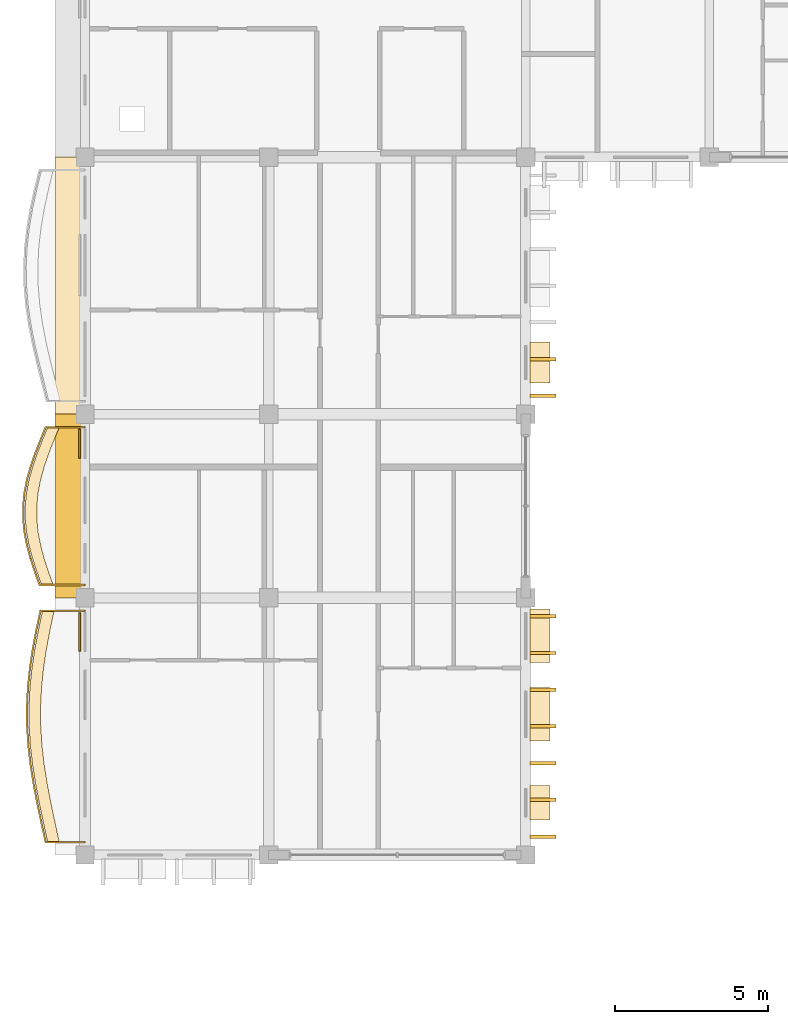
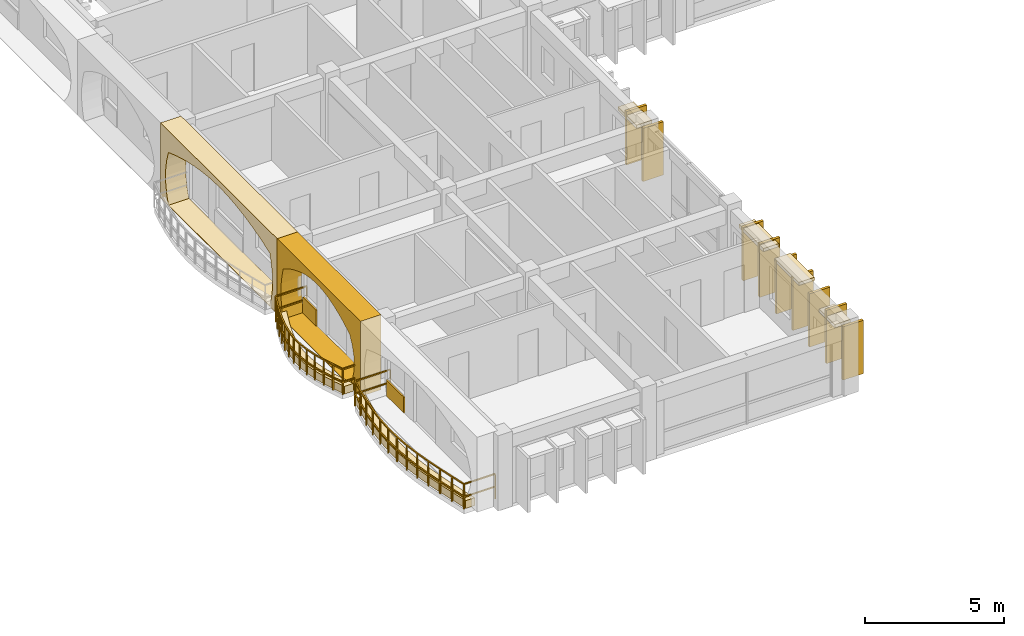
# One storey, part 53 of 68: 19 coverings, 2 railings.
"""IFC4 building model written with IfcOpenShell, lengths in metres."""

import ifcopenshell
import ifcopenshell.guid

model = None  # the IFC model being written
_history = None  # IfcOwnerHistory: only IFC2X3 demands one
_inside = {}  # id of a spatial element -> (the spatial element, [elements in it])
_under = {}  # id of a project, library or spatial element -> (it, [spatial elements below it])
_declared = {}  # id of a project -> (the project, [libraries it declares])
_typed = {}  # id of a type object -> (the type object, [elements of that type])
_made_of = {}  # id of a material, layer set ... -> (it, [elements and type objects made of it])


def new_model(schema):
    """Start an empty IFC model of exactly this schema.

    Asked for "IFC4X3", IfcOpenShell would pick the latest addendum, in which some entities
    have other attributes; the version numbers below select the first issue.
    IFC2X3 requires an IfcOwnerHistory on every rooted entity: one is made here for all.
    """
    global model, _history
    if schema == "IFC4X3":
        model = ifcopenshell.file(schema_version=(4, 3, 0, 0))
    else:
        model = ifcopenshell.file(schema=schema)
    _inside.clear()
    _under.clear()
    _declared.clear()
    _typed.clear()
    _made_of.clear()
    _history = None
    if model.schema == "IFC2X3":
        org = make("IfcOrganization", Name="unknown")
        user = make(
            "IfcPersonAndOrganization",
            ThePerson=make("IfcPerson", FamilyName="unknown"),
            TheOrganization=org,
        )
        app = make(
            "IfcApplication",
            ApplicationDeveloper=org,
            Version="unknown",
            ApplicationFullName="unknown",
            ApplicationIdentifier="unknown",
        )
        _history = make(
            "IfcOwnerHistory",
            OwningUser=user,
            OwningApplication=app,
            ChangeAction="ADDED",
            CreationDate=0,
        )
    return model


def make(cls, **values):
    """One entity of the class cls with the attributes given. An attribute that is None is left unset."""
    return model.create_entity(
        cls, **{name: value for name, value in values.items() if value is not None}
    )


def rooted(cls, **values):
    """An entity with a GlobalId (a new one), such as an element, a storey or a relation."""
    return make(cls, GlobalId=ifcopenshell.guid.new(), OwnerHistory=_history, **values)


def si_unit(unit_type, name, prefix=None):
    """IfcSIUnit, for example si_unit("LENGTHUNIT", "METRE", prefix="MILLI")."""
    return make("IfcSIUnit", UnitType=unit_type, Prefix=prefix, Name=name)


def assignment(units):
    """IfcUnitAssignment: the units of a project."""
    return None if units is None else make("IfcUnitAssignment", Units=units)


def point(xyz):
    """IfcCartesianPoint."""
    return None if xyz is None else make("IfcCartesianPoint", Coordinates=xyz)


def direction(xyz):
    """IfcDirection."""
    return None if xyz is None else make("IfcDirection", DirectionRatios=xyz)


def frame(location, z_axis=None, x_axis=None):
    """IfcAxis2Placement3D, a coordinate frame: its origin and axes. An axis left out is left unset."""
    return make(
        "IfcAxis2Placement3D",
        Location=point(location),
        Axis=direction(z_axis),
        RefDirection=direction(x_axis),
    )


def frame_2d(location, x_axis=None):
    """IfcAxis2Placement2D, a coordinate frame in the plane: its origin and x axis."""
    return make(
        "IfcAxis2Placement2D", Location=point(location), RefDirection=direction(x_axis)
    )


def origin():
    """The frame at (0, 0, 0) with its axes left unset."""
    return frame((0.0, 0.0, 0.0))


def origin_2d():
    """The frame at (0, 0) in the plane with its x axis left unset."""
    return frame_2d((0.0, 0.0))


def place(relative_to, where):
    """IfcLocalPlacement: puts the frame where relative to a parent placement (None: the world)."""
    return make(
        "IfcLocalPlacement", PlacementRelTo=relative_to, RelativePlacement=where
    )


def context(
    kind, dimensions, precision=None, world=None, true_north=None, identifier=None
):
    """IfcGeometricRepresentationContext, for example the 3D "Model" context."""
    return make(
        "IfcGeometricRepresentationContext",
        ContextIdentifier=identifier,
        ContextType=kind,
        CoordinateSpaceDimension=dimensions,
        Precision=precision,
        WorldCoordinateSystem=world,
        TrueNorth=true_north,
    )


def subcontext(parent, identifier, kind, view, scale=None):
    """IfcGeometricRepresentationSubContext, for example "Body" below "Model"."""
    return make(
        "IfcGeometricRepresentationSubContext",
        ContextIdentifier=identifier,
        ContextType=kind,
        ParentContext=parent,
        TargetScale=scale,
        TargetView=view,
    )


def project(units=None, contexts=None):
    """IfcProject with its units and contexts."""
    return rooted(
        "IfcProject",
        Name="project",
        RepresentationContexts=contexts,
        UnitsInContext=assignment(units),
    )


def spatial(cls, under=None, at=None, **own):
    """A site, building, storey or space (cls), placed at a placement, below another one or the project."""
    s = rooted(cls, ObjectPlacement=at, **own)
    if under is not None:
        _under.setdefault(under.id(), (under, []))[1].append(s)
    return s


def polyline(points):
    """IfcPolyline through the points."""
    return make("IfcPolyline", Points=[point(p) for p in points])


def profile(cls, at=None, kind="AREA", **sizes):
    """A parametric profile (cls). Its sizes go by their IFC names, for example OverallWidth=200.0."""
    return make(cls, ProfileType=kind, Position=at, **sizes)


def rectangle(**sizes):
    """IfcRectangleProfileDef."""
    return profile("IfcRectangleProfileDef", **sizes)


def outline(outer, holes=None, kind="AREA"):
    """IfcArbitraryClosedProfileDef: a profile drawn as a closed curve; with holes, ...WithVoids."""
    if holes is None:
        return make("IfcArbitraryClosedProfileDef", ProfileType=kind, OuterCurve=outer)
    return make(
        "IfcArbitraryProfileDefWithVoids",
        ProfileType=kind,
        OuterCurve=outer,
        InnerCurves=holes,
    )


def extrude(swept, where, along, depth):
    """IfcExtrudedAreaSolid: the profile swept, set in the frame where, extruded along a direction by depth."""
    return make(
        "IfcExtrudedAreaSolid",
        SweptArea=swept,
        Position=where,
        ExtrudedDirection=direction(along),
        Depth=depth,
    )


def shape(context_of_items, identifier, shape_type, items):
    """IfcShapeRepresentation: the items that make up one representation, for example the "Body"."""
    return make(
        "IfcShapeRepresentation",
        ContextOfItems=context_of_items,
        RepresentationIdentifier=identifier,
        RepresentationType=shape_type,
        Items=items,
    )


def material(Name=None, Category=None):
    """IfcMaterial."""
    return make("IfcMaterial", Name=Name, Category=Category)


def layer(
    of_material, thickness, ventilated=None, Name=None, Category=None, Priority=None
):
    """IfcMaterialLayer: one layer of a wall or slab, of a material (None: an air gap)."""
    return make(
        "IfcMaterialLayer",
        Material=of_material,
        LayerThickness=thickness,
        IsVentilated=ventilated,
        Name=Name,
        Category=Category,
        Priority=Priority,
    )


def layer_set(layers, Name=None):
    """IfcMaterialLayerSet."""
    return make("IfcMaterialLayerSet", MaterialLayers=layers, LayerSetName=Name)


def made_of(thing, what):
    """Note that an element or type object is made of a material, layer set ...; save() writes the relation."""
    if what is not None:
        _made_of.setdefault(what.id(), (what, []))[1].append(thing)
    return thing


def type_object(cls, material=None, **own):
    """A type object (cls), such as IfcWallType, which elements share."""
    return made_of(rooted(cls, **own), material)


def element(
    cls,
    number,
    at=None,
    inside=None,
    cuts=None,
    type_object=None,
    material=None,
    context=None,
    identifier="Body",
    shape_type=None,
    held_by="IfcProductDefinitionShape",
    body=None,
    shapes=None,
    **own,
):
    """One element of the class cls, such as IfcWall. Its Tag is "e" and its number.

    at: its placement. inside: the storey or other place that contains it. cuts: it is an
    opening in that element (IfcRelVoidsElement). A single representation is given by context,
    identifier, shape_type and body (its items); several are given by shapes. held_by: the class
    of the entity that holds the representations. save() writes the other relations.
    """
    e = rooted(cls, Tag="e%d" % number, ObjectPlacement=at, **own)
    if body is not None:
        shapes = [shape(context, identifier, shape_type, body)]
    if shapes is not None:
        e.Representation = make(held_by, Representations=shapes)
    if inside is not None:
        _inside.setdefault(inside.id(), (inside, []))[1].append(e)
    if cuts is not None:
        rooted(
            "IfcRelVoidsElement", RelatingBuildingElement=cuts, RelatedOpeningElement=e
        )
    if type_object is not None:
        _typed.setdefault(type_object.id(), (type_object, []))[1].append(e)
    return made_of(e, material)


def aggregate(whole, parts):
    """IfcRelAggregates: a whole, such as a stair, and the parts it consists of."""
    return rooted("IfcRelAggregates", RelatingObject=whole, RelatedObjects=parts)


def save(model, path):
    """Write the relations noted so far, then the file.

    IfcRelAggregates (storeys below a building ...), IfcRelContainedInSpatialStructure (elements
    in a storey), IfcRelDefinesByType, IfcRelAssociatesMaterial and IfcRelDeclares: one each for
    every whole, place, type object, material and project.
    """
    for whole, parts in _under.values():
        aggregate(whole, parts)
    for where, things in _inside.values():
        rooted(
            "IfcRelContainedInSpatialStructure",
            RelatedElements=things,
            RelatingStructure=where,
        )
    for kind, things in _typed.values():
        rooted("IfcRelDefinesByType", RelatedObjects=things, RelatingType=kind)
    for what, things in _made_of.values():
        rooted("IfcRelAssociatesMaterial", RelatedObjects=things, RelatingMaterial=what)
    for by, libraries in _declared.values():
        rooted("IfcRelDeclares", RelatingContext=by, RelatedDefinitions=libraries)
    model.write(path)


model = new_model("IFC4")

# Units and contexts
model_context = context("Model", 3, precision=1e-05, world=origin(), true_north=direction((0.0, 1.0)))
body_context = subcontext(model_context, "Body", "Model", "MODEL_VIEW")
ifc_project = project(units=[si_unit("LENGTHUNIT", "METRE"), si_unit("AREAUNIT", "SQUARE_METRE"), si_unit("VOLUMEUNIT", "CUBIC_METRE"), si_unit("PLANEANGLEUNIT", "RADIAN"), si_unit("MASSUNIT", "GRAM", prefix="KILO"), si_unit("THERMODYNAMICTEMPERATUREUNIT", "KELVIN")], contexts=[model_context])

# Site, building, storey
site_placement = place(None, origin())
site = spatial("IfcSite", under=ifc_project, at=site_placement, CompositionType="ELEMENT")
building_placement = place(site_placement, origin())
building = spatial("IfcBuilding", under=site, at=building_placement, Name="Thalorik Housing Commons", CompositionType="ELEMENT")
storey_placement = place(building_placement, frame((0.0, 0.0, 24.60009765625)))
storey = spatial("IfcBuildingStorey", under=building, at=storey_placement, Name="L07", CompositionType="ELEMENT", Elevation=24.60009765625)

# Coverings
ifc_material_1 = material(Name="Precast concrete C40/50", Category="concrete")
ifc_layer_1 = layer(ifc_material_1, 0.85009765625, Name="Precast concrete C40/50", Category="concrete")
ifc_layer_set_1 = layer_set([ifc_layer_1], Name="Precast concrete C40/50")
covering_type_1 = type_object("IfcCoveringType", Name="ARC-CLD-CUSH-850", PredefinedType="CLADDING", material=ifc_layer_set_1)
covering_1_placement = place(storey_placement, frame((7.83740234375, 105.0, 0.0), z_axis=(0.0, 0.0, 1.0), x_axis=(0.0, -1.0, 0.0)))
element("IfcCovering", 1, at=covering_1_placement, inside=storey, type_object=covering_type_1, Name="L07 White Precast Curved Cushion Bay Frame 771", PredefinedType="CLADDING", context=body_context, shape_type="SweptSolid", body=[
    extrude(outline(polyline([(-4.199951171875, 0.0), (4.199951171875, 0.0), (4.199951171875, 3.300048828125), (-4.199951171875, 3.300048828125), (-4.199951171875, 0.0)]), holes=[polyline([(3.66259765625, 0.02490234375), (3.77587890625, 0.410888671875), (3.843994140625, 0.796630859375), (3.86669921875, 1.1826171875), (3.843994140625, 1.568359375), (3.77587890625, 1.9541015625), (3.66259765625, 2.340087890625), (3.0546875, 2.552978515625), (2.447021484375, 2.720458984375), (1.83935546875, 2.85595703125), (1.231689453125, 2.956787109375), (0.6240234375, 3.01904296875), (0.01611328125, 3.0400390625), (-0.591552734375, 3.01904296875), (-1.19921875, 2.956787109375), (-1.806884765625, 2.85595703125), (-2.41455078125, 2.720458984375), (-3.022216796875, 2.552978515625), (-3.6298828125, 2.340087890625), (-3.750244140625, 1.9541015625), (-3.822509765625, 1.568359375), (-3.8466796875, 1.1826171875), (-3.822509765625, 0.796630859375), (-3.750244140625, 0.410888671875), (-3.6298828125, 0.02490234375), (3.66259765625, 0.02490234375)])]), frame((0.0, 0.425048828125, 0.0), z_axis=(0.0, -1.0, 0.0), x_axis=(1.0, 0.0, 0.0)), (0.0, 0.0, 1.0), 0.85009765625),
])
covering_2_placement = place(storey_placement, frame((7.83740234375, 97.800048828125, 0.0), z_axis=(0.0, 0.0, 1.0), x_axis=(0.0, -1.0, 0.0)))
element("IfcCovering", 2, at=covering_2_placement, inside=storey, type_object=covering_type_1, Name="L07 White Precast Curved Cushion Bay Frame 773", PredefinedType="CLADDING", context=body_context, shape_type="SweptSolid", body=[
    extrude(outline(polyline([(-3.0, 0.0), (3.0, 0.0), (3.0, 3.300048828125), (-3.0, 3.300048828125), (-3.0, 0.0)]), holes=[polyline([(2.235107421875, 0.02490234375), (2.409912109375, 0.394287109375), (2.514892578125, 0.76318359375), (2.550048828125, 1.132568359375), (2.514892578125, 1.501708984375), (2.409912109375, 1.870849609375), (2.235107421875, 2.239990234375), (1.8349609375, 2.4833984375), (1.43505859375, 2.6748046875), (1.034912109375, 2.82958984375), (0.635009765625, 2.94482421875), (0.235107421875, 3.01611328125), (-0.1650390625, 3.0400390625), (-0.56494140625, 3.01611328125), (-0.965087890625, 2.94482421875), (-1.364990234375, 2.82958984375), (-1.764892578125, 2.6748046875), (-2.1650390625, 2.4833984375), (-2.56494140625, 2.239990234375), (-2.65673828125, 1.870849609375), (-2.7119140625, 1.501708984375), (-2.730224609375, 1.132568359375), (-2.7119140625, 0.76318359375), (-2.65673828125, 0.394287109375), (-2.56494140625, 0.02490234375), (2.235107421875, 0.02490234375)])]), frame((0.0, 0.425048828125, 0.0), z_axis=(0.0, -1.0, 0.0), x_axis=(1.0, 0.0, 0.0)), (0.0, 0.0, 1.0), 0.85009765625),
])
ifc_layer_2 = layer(ifc_material_1, 0.85009765625, Name="Precast concrete C40/50", Category="concrete")
ifc_layer_set_2 = layer_set([ifc_layer_2], Name="Precast concrete C40/50")
covering_type_2 = type_object("IfcCoveringType", Name="ARC-CLD-FIN-850", PredefinedType="CLADDING", material=ifc_layer_set_2)
for number, where, z_axis, x_axis, name in (
    (3, (23.362548828125, 87.0, 0.0400390625), (0.0, 0.0, 1.0), (0.0, 1.0, 0.0), "L07 Courtyard Precast Vertical Brise-Soleil Fin 784"),
    (4, (23.362548828125, 88.199951171875, 0.0400390625), (0.0, 0.0, 1.0), (0.0, 1.0, 0.0), "L07 Courtyard Precast Vertical Brise-Soleil Fin 785"),
    (5, (23.362548828125, 89.39990234375, 0.0400390625), (0.0, 0.0, 1.0), (0.0, 1.0, 0.0), "L07 Courtyard Precast Vertical Brise-Soleil Fin 786"),
    (6, (23.362548828125, 90.60009765625, 0.0400390625), (0.0, 0.0, 1.0), (0.0, 1.0, 0.0), "L07 Courtyard Precast Vertical Brise-Soleil Fin 787"),
    (7, (23.362548828125, 91.800048828125, 0.0400390625), (0.0, 0.0, 1.0), (0.0, 1.0, 0.0), "L07 Courtyard Precast Vertical Brise-Soleil Fin 788"),
    (8, (23.362548828125, 93.0, 0.0400390625), (0.0, 0.0, 1.0), (0.0, 1.0, 0.0), "L07 Courtyard Precast Vertical Brise-Soleil Fin 789"),
    (9, (23.362548828125, 94.199951171875, 0.0400390625), (0.0, 0.0, 1.0), (0.0, 1.0, 0.0), "L07 Courtyard Precast Vertical Brise-Soleil Fin 790"),
    (10, (23.362548828125, 101.39990234375, 0.0400390625), (0.0, 0.0, 1.0), (0.0, 1.0, 0.0), "L07 Courtyard Precast Vertical Brise-Soleil Fin 794"),
    (11, (23.362548828125, 102.60009765625, 0.0400390625), (0.0, 0.0, 1.0), (0.0, 1.0, 0.0), "L07 Courtyard Precast Vertical Brise-Soleil Fin 795"),
):
    element("IfcCovering", number, at=place(storey_placement, frame(where, z_axis=z_axis, x_axis=x_axis)), inside=storey, type_object=covering_type_2, Name=name, PredefinedType="CLADDING", context=body_context, shape_type="SweptSolid", body=[
        extrude(rectangle(XDim=0.110107421875, YDim=0.85009765625, at=origin_2d()), origin(), (0.0, 0.0, 1.0), 2.344970703125),
    ])
ifc_layer_3 = layer(ifc_material_1, 0.64990234375, Name="Precast concrete C40/50", Category="concrete")
ifc_layer_set_3 = layer_set([ifc_layer_3], Name="Precast concrete C40/50")
covering_type_3 = type_object("IfcCoveringType", Name="ARC-CLD-HOOD-650", PredefinedType="CLADDING", material=ifc_layer_set_3)
covering_3_placement = place(storey_placement, frame((23.262451171875, 88.105712890625, 1.98974609375), z_axis=(0.0, 0.0, 1.0), x_axis=(0.0, 1.0, 0.0)))
element("IfcCovering", 12, at=covering_3_placement, inside=storey, type_object=covering_type_3, Name="L07 Courtyard Precast Window Sun-Hood 791", PredefinedType="CLADDING", context=body_context, shape_type="SweptSolid", body=[
    extrude(rectangle(XDim=1.139892578125, YDim=0.64990234375, at=origin_2d()), origin(), (0.0, 0.0, 1.0), 0.139892578125),
])
covering_4_placement = place(storey_placement, frame((23.262451171875, 90.9970703125, 2.27490234375), z_axis=(0.0, 0.0, 1.0), x_axis=(0.0, 1.0, 0.0)))
element("IfcCovering", 13, at=covering_4_placement, inside=storey, type_object=covering_type_3, Name="L07 Courtyard Precast Window Sun-Hood 792", PredefinedType="CLADDING", context=body_context, shape_type="SweptSolid", body=[
    extrude(rectangle(XDim=1.739990234375, YDim=0.64990234375, at=origin_2d()), origin(), (0.0, 0.0, 1.0), 0.139892578125),
])
covering_5_placement = place(storey_placement, frame((23.262451171875, 93.561279296875, 2.2099609375), z_axis=(0.0, 0.0, 1.0), x_axis=(0.0, 1.0, 0.0)))
element("IfcCovering", 14, at=covering_5_placement, inside=storey, type_object=covering_type_3, Name="L07 Courtyard Precast Window Sun-Hood 793", PredefinedType="CLADDING", context=body_context, shape_type="SweptSolid", body=[
    extrude(rectangle(XDim=1.760009765625, YDim=0.64990234375, at=origin_2d()), origin(), (0.0, 0.0, 1.0), 0.139892578125),
])
covering_6_placement = place(storey_placement, frame((23.262451171875, 102.494873046875, 2.08984375), z_axis=(0.0, 0.0, 1.0), x_axis=(0.0, 1.0, 0.0)))
element("IfcCovering", 15, at=covering_6_placement, inside=storey, type_object=covering_type_3, Name="L07 Courtyard Precast Window Sun-Hood 801", PredefinedType="CLADDING", context=body_context, shape_type="SweptSolid", body=[
    extrude(rectangle(XDim=1.340087890625, YDim=0.64990234375, at=origin_2d()), origin(), (0.0, 0.0, 1.0), 0.139892578125),
])
ifc_material_2 = material(Name="Terracotta red mineral fibre-cement panel", Category="masonry")
ifc_layer_4 = layer(ifc_material_2, 0.054931640625, Name="Terracotta red mineral fibre-cement panel", Category="masonry")
ifc_layer_set_4 = layer_set([ifc_layer_4], Name="Terracotta red mineral fibre-cement panel")
covering_type_4 = type_object("IfcCoveringType", Name="ARC-CLD-RED-55", PredefinedType="CLADDING", material=ifc_layer_set_4)
covering_7_placement = place(storey_placement, frame((8.22998046875, 93.6875, 0.0498046875), z_axis=(0.0, 0.0, 1.0), x_axis=(0.0, -1.0, 0.0)))
element("IfcCovering", 16, at=covering_7_placement, inside=storey, type_object=covering_type_4, Name="L07 De Stijl Recessed Window Spandrel 776", PredefinedType="CLADDING", context=body_context, shape_type="SweptSolid", body=[
    extrude(rectangle(XDim=1.25, YDim=0.054931640625, at=origin_2d()), origin(), (0.0, 0.0, 1.0), 0.699951171875),
])
ifc_material_3 = material(Name="Mineral ochre architectural terracotta panel", Category="masonry")
ifc_layer_5 = layer(ifc_material_3, 0.06494140625, Name="Mineral ochre architectural terracotta panel", Category="masonry")
ifc_layer_set_5 = layer_set([ifc_layer_5], Name="Mineral ochre architectural terracotta panel")
covering_type_5 = type_object("IfcCoveringType", Name="ARC-CLD-YEL-65", PredefinedType="CLADDING", material=ifc_layer_set_5)
covering_8_placement = place(storey_placement, frame((8.22509765625, 99.840087890625, 0.0498046875), z_axis=(0.0, 0.0, 1.0), x_axis=(0.0, -1.0, 0.0)))
element("IfcCovering", 17, at=covering_8_placement, inside=storey, type_object=covering_type_5, Name="L07 De Stijl Recessed Window Spandrel 774", PredefinedType="CLADDING", context=body_context, shape_type="SweptSolid", body=[
    extrude(rectangle(XDim=0.949951171875, YDim=0.06494140625, at=origin_2d()), origin(), (0.0, 0.0, 1.0), 0.699951171875),
])
ifc_material_4 = material(Name="Planted vegetated substrate and terracotta trough", Category="masonry")
ifc_layer_6 = layer(ifc_material_4, 0.340087890625, Name="Planted vegetated substrate and terracotta trough", Category="masonry")
ifc_layer_set_6 = layer_set([ifc_layer_6], Name="Planted vegetated substrate and terracotta trough")
covering_type_6 = type_object("IfcCoveringType", Name="ARC-COV-PLANTER", PredefinedType="USERDEFINED", material=ifc_layer_set_6)
covering_9_placement = place(storey_placement, origin())
element("IfcCovering", 18, at=covering_9_placement, inside=storey, type_object=covering_type_6, Name="L07 Balcony Slab-Edge Planted Trough 5368", ObjectType="PLANTER", PredefinedType="USERDEFINED", context=body_context, shape_type="SweptSolid", body=[
    extrude(outline(polyline([(7.010498046875, 94.3798828125), (6.87646484375, 93.75), (6.75830078125, 93.1201171875), (6.66357421875, 92.489990234375), (6.598876953125, 91.860107421875), (6.568115234375, 91.22998046875), (6.572998046875, 90.60009765625), (6.61376953125, 89.969970703125), (6.686767578125, 89.340087890625), (6.787109375, 88.7099609375), (6.908203125, 88.080078125), (7.04150390625, 87.449951171875), (7.17822265625, 86.820068359375), (7.558349609375, 86.820068359375), (7.42138671875, 87.449951171875), (7.2880859375, 88.080078125), (7.167236328125, 88.7099609375), (7.066650390625, 89.340087890625), (6.99365234375, 89.969970703125), (6.953125, 90.60009765625), (6.947998046875, 91.22998046875), (6.978759765625, 91.860107421875), (7.043701171875, 92.489990234375), (7.13818359375, 93.1201171875), (7.256591796875, 93.75), (7.390380859375, 94.3798828125), (7.010498046875, 94.3798828125)])), origin(), (0.0, 0.0, 1.0), 0.33984375),
])
covering_10_placement = place(storey_placement, origin())
element("IfcCovering", 19, at=covering_10_placement, inside=storey, type_object=covering_type_6, Name="L07 Balcony Slab-Edge Planted Trough 5369", ObjectType="PLANTER", PredefinedType="USERDEFINED", context=body_context, shape_type="SweptSolid", body=[
    extrude(outline(polyline([(7.1806640625, 100.3798828125), (7.00439453125, 99.949951171875), (6.836669921875, 99.52001953125), (6.6884765625, 99.090087890625), (6.56884765625, 98.659912109375), (6.485595703125, 98.22998046875), (6.443603515625, 97.800048828125), (6.444580078125, 97.3701171875), (6.48828125, 96.93994140625), (6.571044921875, 96.510009765625), (6.686767578125, 96.080078125), (6.826904296875, 95.64990234375), (6.982177734375, 95.219970703125), (7.3623046875, 95.219970703125), (7.20703125, 95.64990234375), (7.066650390625, 96.080078125), (6.951171875, 96.510009765625), (6.868408203125, 96.93994140625), (6.82470703125, 97.3701171875), (6.823486328125, 97.800048828125), (6.865478515625, 98.22998046875), (6.948974609375, 98.659912109375), (7.068359375, 99.090087890625), (7.216796875, 99.52001953125), (7.38427734375, 99.949951171875), (7.560546875, 100.3798828125), (7.1806640625, 100.3798828125)])), origin(), (0.0, 0.0, 1.0), 0.33984375),
])

# Railings
ifc_material_5 = material(Name="Steel S355", Category="steel")
railing_type_1 = type_object("IfcRailingType", Name="ARC-RL-BAL-112", PredefinedType="BALUSTRADE", material=ifc_material_5)
railing_1_placement = place(storey_placement, frame((8.39990234375, 94.3798828125, 0.0)))
element("IfcRailing", 20, at=railing_1_placement, inside=storey, type_object=railing_type_1, Name="L07 Cushion Balcony Guardrail 52", PredefinedType="BALUSTRADE", context=body_context, shape_type="SweptSolid", body=[
    extrude(rectangle(XDim=0.050048828125, YDim=0.050048828125, at=origin_2d()), frame((0.0, 0.0, 1.09521484375), z_axis=(-1.0, 0.0, 0.0), x_axis=(0.0, -1.0, 0.0)), (0.0, 0.0, 1.0), 1.45947265625),
    extrude(rectangle(XDim=0.050048828125, YDim=0.050048828125, at=origin_2d()), frame((0.0, 0.0, 0.53515625), z_axis=(-1.0, 0.0, 0.0), x_axis=(0.0, -1.0, 0.0)), (0.0, 0.0, 1.0), 1.45947265625),
    extrude(rectangle(XDim=0.050048828125, YDim=0.050048828125, at=origin_2d()), frame((-1.45947265625, 0.0, 1.09521484375), z_axis=(-0.208130794843, -0.978101003086, 0.0), x_axis=(0.978101003086, -0.208130794843, 0.0)), (0.0, 0.0, 1.0), 0.64404296875),
    extrude(rectangle(XDim=0.050048828125, YDim=0.050048828125, at=origin_2d()), frame((-1.45947265625, 0.0, 0.53515625), z_axis=(-0.208130794843, -0.978101003086, 0.0), x_axis=(0.978101003086, -0.208130794843, 0.0)), (0.0, 0.0, 1.0), 0.64404296875),
    extrude(rectangle(XDim=0.050048828125, YDim=0.050048828125, at=origin_2d()), frame((-1.593505859375, -0.6298828125, 1.09521484375), z_axis=(-0.18438053763, -0.982854931993, 0.0), x_axis=(0.982854931993, -0.18438053763, 0.0)), (0.0, 0.0, 1.0), 0.640869140625),
    extrude(rectangle(XDim=0.050048828125, YDim=0.050048828125, at=origin_2d()), frame((-1.593505859375, -0.6298828125, 0.53515625), z_axis=(-0.18438053763, -0.982854931993, 0.0), x_axis=(0.982854931993, -0.18438053763, 0.0)), (0.0, 0.0, 1.0), 0.640869140625),
    extrude(rectangle(XDim=0.050048828125, YDim=0.050048828125, at=origin_2d()), frame((-1.711669921875, -1.259765625, 1.09521484375), z_axis=(-0.148658949274, -0.988888525973, 0.0), x_axis=(0.988888525973, -0.148658949274, 0.0)), (0.0, 0.0, 1.0), 0.63720703125),
    extrude(rectangle(XDim=0.050048828125, YDim=0.050048828125, at=origin_2d()), frame((-1.711669921875, -1.259765625, 0.53515625), z_axis=(-0.148658949274, -0.988888525973, 0.0), x_axis=(0.988888525973, -0.148658949274, 0.0)), (0.0, 0.0, 1.0), 0.63720703125),
    extrude(rectangle(XDim=0.050048828125, YDim=0.050048828125, at=origin_2d()), frame((-1.806396484375, -1.889892578125, 1.09521484375), z_axis=(-0.102175616173, -0.994766376321, 0.0), x_axis=(0.994766376321, -0.102175616173, 0.0)), (0.0, 0.0, 1.0), 0.63330078125),
    extrude(rectangle(XDim=0.050048828125, YDim=0.050048828125, at=origin_2d()), frame((-1.806396484375, -1.889892578125, 0.53515625), z_axis=(-0.102175616173, -0.994766376321, 0.0), x_axis=(0.994766376321, -0.102175616173, 0.0)), (0.0, 0.0, 1.0), 0.63330078125),
    extrude(rectangle(XDim=0.050048828125, YDim=0.050048828125, at=origin_2d()), frame((-1.87109375, -2.519775390625, 1.09521484375), z_axis=(-0.048760218772, -0.998810513093, 0.0), x_axis=(0.998810513093, -0.048760218772, 0.0)), (0.0, 0.0, 1.0), 0.630859375),
    extrude(rectangle(XDim=0.050048828125, YDim=0.050048828125, at=origin_2d()), frame((-1.87109375, -2.519775390625, 0.53515625), z_axis=(-0.048760218772, -0.998810513093, 0.0), x_axis=(0.998810513093, -0.048760218772, 0.0)), (0.0, 0.0, 1.0), 0.630859375),
    extrude(rectangle(XDim=0.050048828125, YDim=0.050048828125, at=origin_2d()), frame((-1.90185546875, -3.14990234375, 1.09521484375), z_axis=(0.008139265267, -0.999966875632, 0.0), x_axis=(0.999966875632, 0.008139265267, 0.0)), (0.0, 0.0, 1.0), 0.6298828125),
    extrude(rectangle(XDim=0.050048828125, YDim=0.050048828125, at=origin_2d()), frame((-1.90185546875, -3.14990234375, 0.53515625), z_axis=(0.008139265267, -0.999966875632, 0.0), x_axis=(0.999966875632, 0.008139265267, 0.0)), (0.0, 0.0, 1.0), 0.6298828125),
    extrude(rectangle(XDim=0.050048828125, YDim=0.050048828125, at=origin_2d()), frame((-1.896728515625, -3.77978515625, 1.09521484375), z_axis=(0.064183543731, -0.997938110663, 0.0), x_axis=(0.997938110663, 0.064183543731, 0.0)), (0.0, 0.0, 1.0), 0.63134765625),
    extrude(rectangle(XDim=0.050048828125, YDim=0.050048828125, at=origin_2d()), frame((-1.896728515625, -3.77978515625, 0.53515625), z_axis=(0.064183543731, -0.997938110663, 0.0), x_axis=(0.997938110663, 0.064183543731, 0.0)), (0.0, 0.0, 1.0), 0.63134765625),
    extrude(rectangle(XDim=0.050048828125, YDim=0.050048828125, at=origin_2d()), frame((-1.856201171875, -4.409912109375, 1.09521484375), z_axis=(0.115120966113, -0.993351480173, 0.0), x_axis=(0.993351480173, 0.115120966113, 0.0)), (0.0, 0.0, 1.0), 0.634033203125),
    extrude(rectangle(XDim=0.050048828125, YDim=0.050048828125, at=origin_2d()), frame((-1.856201171875, -4.409912109375, 0.53515625), z_axis=(0.115120966113, -0.993351480173, 0.0), x_axis=(0.993351480173, 0.115120966113, 0.0)), (0.0, 0.0, 1.0), 0.634033203125),
    extrude(rectangle(XDim=0.050048828125, YDim=0.050048828125, at=origin_2d()), frame((-1.783203125, -5.039794921875, 1.09521484375), z_axis=(0.157632360155, -0.987497867862, 0.0), x_axis=(0.987497867862, 0.157632360155, 0.0)), (0.0, 0.0, 1.0), 0.63818359375),
    extrude(rectangle(XDim=0.050048828125, YDim=0.050048828125, at=origin_2d()), frame((-1.783203125, -5.039794921875, 0.53515625), z_axis=(0.157632360155, -0.987497867862, 0.0), x_axis=(0.987497867862, 0.157632360155, 0.0)), (0.0, 0.0, 1.0), 0.63818359375),
    extrude(rectangle(XDim=0.050048828125, YDim=0.050048828125, at=origin_2d()), frame((-1.6826171875, -5.669921875, 1.09521484375), z_axis=(0.188423823634, -0.982087808033, 0.0), x_axis=(0.982087808033, 0.188423823634, 0.0)), (0.0, 0.0, 1.0), 0.641357421875),
    extrude(rectangle(XDim=0.050048828125, YDim=0.050048828125, at=origin_2d()), frame((-1.6826171875, -5.669921875, 0.53515625), z_axis=(0.188423823634, -0.982087808033, 0.0), x_axis=(0.982087808033, 0.188423823634, 0.0)), (0.0, 0.0, 1.0), 0.641357421875),
    extrude(rectangle(XDim=0.050048828125, YDim=0.050048828125, at=origin_2d()), frame((-1.561767578125, -6.2998046875, 1.09521484375), z_axis=(0.206965568387, -0.978348227117, 0.0), x_axis=(0.978348227117, 0.206965568387, 0.0)), (0.0, 0.0, 1.0), 0.64404296875),
    extrude(rectangle(XDim=0.050048828125, YDim=0.050048828125, at=origin_2d()), frame((-1.561767578125, -6.2998046875, 0.53515625), z_axis=(0.206965568387, -0.978348227117, 0.0), x_axis=(0.978348227117, 0.206965568387, 0.0)), (0.0, 0.0, 1.0), 0.64404296875),
    extrude(rectangle(XDim=0.050048828125, YDim=0.050048828125, at=origin_2d()), frame((-1.428466796875, -6.929931640625, 1.09521484375), z_axis=(0.212476816488, -0.977166107914, 0.0), x_axis=(0.977166107914, 0.212476816488, 0.0)), (0.0, 0.0, 1.0), 0.64453125),
    extrude(rectangle(XDim=0.050048828125, YDim=0.050048828125, at=origin_2d()), frame((-1.428466796875, -6.929931640625, 0.53515625), z_axis=(0.212476816488, -0.977166107914, 0.0), x_axis=(0.977166107914, 0.212476816488, 0.0)), (0.0, 0.0, 1.0), 0.64453125),
    extrude(rectangle(XDim=0.050048828125, YDim=0.050048828125, at=origin_2d()), frame((-1.29150390625, -7.559814453125, 1.09521484375), z_axis=(1.0, 0.0, 0.0), x_axis=(0.0, 1.0, 0.0)), (0.0, 0.0, 1.0), 1.29150390625),
    extrude(rectangle(XDim=0.050048828125, YDim=0.050048828125, at=origin_2d()), frame((-1.29150390625, -7.559814453125, 0.53515625), z_axis=(1.0, 0.0, 0.0), x_axis=(0.0, 1.0, 0.0)), (0.0, 0.0, 1.0), 1.29150390625),
    extrude(rectangle(XDim=0.0419921875, YDim=0.0419921875, at=origin_2d()), origin(), (0.0, 0.0, 1.0), 1.070068359375),
    extrude(rectangle(XDim=0.0419921875, YDim=0.0419921875, at=origin_2d()), frame((-1.45947265625, 0.0, 0.0)), (0.0, 0.0, 1.0), 1.070068359375),
    extrude(rectangle(XDim=0.0419921875, YDim=0.0419921875, at=origin_2d()), frame((-1.593505859375, -0.6298828125, 0.0)), (0.0, 0.0, 1.0), 1.070068359375),
    extrude(rectangle(XDim=0.0419921875, YDim=0.0419921875, at=origin_2d()), frame((-1.711669921875, -1.259765625, 0.0)), (0.0, 0.0, 1.0), 1.070068359375),
    extrude(rectangle(XDim=0.0419921875, YDim=0.0419921875, at=origin_2d()), frame((-1.806396484375, -1.889892578125, 0.0)), (0.0, 0.0, 1.0), 1.070068359375),
    extrude(rectangle(XDim=0.0419921875, YDim=0.0419921875, at=origin_2d()), frame((-1.87109375, -2.519775390625, 0.0)), (0.0, 0.0, 1.0), 1.070068359375),
    extrude(rectangle(XDim=0.0419921875, YDim=0.0419921875, at=origin_2d()), frame((-1.90185546875, -3.14990234375, 0.0)), (0.0, 0.0, 1.0), 1.070068359375),
    extrude(rectangle(XDim=0.0419921875, YDim=0.0419921875, at=origin_2d()), frame((-1.896728515625, -3.77978515625, 0.0)), (0.0, 0.0, 1.0), 1.070068359375),
    extrude(rectangle(XDim=0.0419921875, YDim=0.0419921875, at=origin_2d()), frame((-1.856201171875, -4.409912109375, 0.0)), (0.0, 0.0, 1.0), 1.070068359375),
    extrude(rectangle(XDim=0.0419921875, YDim=0.0419921875, at=origin_2d()), frame((-1.783203125, -5.039794921875, 0.0)), (0.0, 0.0, 1.0), 1.070068359375),
    extrude(rectangle(XDim=0.0419921875, YDim=0.0419921875, at=origin_2d()), frame((-1.6826171875, -5.669921875, 0.0)), (0.0, 0.0, 1.0), 1.070068359375),
    extrude(rectangle(XDim=0.0419921875, YDim=0.0419921875, at=origin_2d()), frame((-1.561767578125, -6.2998046875, 0.0)), (0.0, 0.0, 1.0), 1.070068359375),
    extrude(rectangle(XDim=0.0419921875, YDim=0.0419921875, at=origin_2d()), frame((-1.428466796875, -6.929931640625, 0.0)), (0.0, 0.0, 1.0), 1.070068359375),
    extrude(rectangle(XDim=0.0419921875, YDim=0.0419921875, at=origin_2d()), frame((-1.29150390625, -7.559814453125, 0.0)), (0.0, 0.0, 1.0), 1.070068359375),
    extrude(rectangle(XDim=0.0419921875, YDim=0.0419921875, at=origin_2d()), frame((0.0, -7.559814453125, 0.0)), (0.0, 0.0, 1.0), 1.070068359375),
])
railing_type_2 = type_object("IfcRailingType", Name="ARC-RL-BAL-115", PredefinedType="BALUSTRADE", material=ifc_material_5)
railing_2_placement = place(storey_placement, frame((8.39990234375, 100.3798828125, 0.0)))
element("IfcRailing", 21, at=railing_2_placement, inside=storey, type_object=railing_type_2, Name="L07 Cushion Balcony Guardrail 53", PredefinedType="BALUSTRADE", context=body_context, shape_type="SweptSolid", body=[
    extrude(rectangle(XDim=0.050048828125, YDim=0.050048828125, at=origin_2d()), frame((0.0, 0.0, 1.125), z_axis=(-1.0, 0.0, 0.0), x_axis=(0.0, -1.0, 0.0)), (0.0, 0.0, 1.0), 1.289306640625),
    extrude(rectangle(XDim=0.050048828125, YDim=0.050048828125, at=origin_2d()), frame((0.0, 0.0, 0.5498046875), z_axis=(-1.0, 0.0, 0.0), x_axis=(0.0, -1.0, 0.0)), (0.0, 0.0, 1.0), 1.289306640625),
    extrude(rectangle(XDim=0.050048828125, YDim=0.050048828125, at=origin_2d()), frame((-1.289306640625, 0.0, 1.125), z_axis=(-0.37934878311, -0.925253749386, 0.0), x_axis=(0.925253749386, -0.37934878311, 0.0)), (0.0, 0.0, 1.0), 0.464599609375),
    extrude(rectangle(XDim=0.050048828125, YDim=0.050048828125, at=origin_2d()), frame((-1.289306640625, 0.0, 0.5498046875), z_axis=(-0.37934878311, -0.925253749386, 0.0), x_axis=(0.925253749386, -0.37934878311, 0.0)), (0.0, 0.0, 1.0), 0.464599609375),
    extrude(rectangle(XDim=0.050048828125, YDim=0.050048828125, at=origin_2d()), frame((-1.465576171875, -0.429931640625, 1.125), z_axis=(-0.363441703429, -0.931616942852, 0.0), x_axis=(0.931616942852, -0.363441703429, 0.0)), (0.0, 0.0, 1.0), 0.46142578125),
    extrude(rectangle(XDim=0.050048828125, YDim=0.050048828125, at=origin_2d()), frame((-1.465576171875, -0.429931640625, 0.5498046875), z_axis=(-0.363441703429, -0.931616942852, 0.0), x_axis=(0.931616942852, -0.363441703429, 0.0)), (0.0, 0.0, 1.0), 0.46142578125),
    extrude(rectangle(XDim=0.050048828125, YDim=0.050048828125, at=origin_2d()), frame((-1.63330078125, -0.85986328125, 1.125), z_axis=(-0.325874864866, -0.945412911086, 0.0), x_axis=(0.945412911086, -0.325874864866, 0.0)), (0.0, 0.0, 1.0), 0.454833984375),
    extrude(rectangle(XDim=0.050048828125, YDim=0.050048828125, at=origin_2d()), frame((-1.63330078125, -0.85986328125, 0.5498046875), z_axis=(-0.325874864866, -0.945412911086, 0.0), x_axis=(0.945412911086, -0.325874864866, 0.0)), (0.0, 0.0, 1.0), 0.454833984375),
    extrude(rectangle(XDim=0.050048828125, YDim=0.050048828125, at=origin_2d()), frame((-1.781494140625, -1.289794921875, 1.125), z_axis=(-0.267925863054, -0.963439532045, 0.0), x_axis=(0.963439532045, -0.267925863054, 0.0)), (0.0, 0.0, 1.0), 0.446533203125),
    extrude(rectangle(XDim=0.050048828125, YDim=0.050048828125, at=origin_2d()), frame((-1.781494140625, -1.289794921875, 0.5498046875), z_axis=(-0.267925863054, -0.963439532045, 0.0), x_axis=(0.963439532045, -0.267925863054, 0.0)), (0.0, 0.0, 1.0), 0.446533203125),
    extrude(rectangle(XDim=0.050048828125, YDim=0.050048828125, at=origin_2d()), frame((-1.901123046875, -1.719970703125, 1.125), z_axis=(-0.190108578835, -0.981763071343, 0.0), x_axis=(0.981763071343, -0.190108578835, 0.0)), (0.0, 0.0, 1.0), 0.43798828125),
    extrude(rectangle(XDim=0.050048828125, YDim=0.050048828125, at=origin_2d()), frame((-1.901123046875, -1.719970703125, 0.5498046875), z_axis=(-0.190108578835, -0.981763071343, 0.0), x_axis=(0.981763071343, -0.190108578835, 0.0)), (0.0, 0.0, 1.0), 0.43798828125),
    extrude(rectangle(XDim=0.050048828125, YDim=0.050048828125, at=origin_2d()), frame((-1.984375, -2.14990234375, 1.125), z_axis=(-0.097209200993, -0.995263970634, 0.0), x_axis=(0.995263970634, -0.097209200993, 0.0)), (0.0, 0.0, 1.0), 0.431884765625),
    extrude(rectangle(XDim=0.050048828125, YDim=0.050048828125, at=origin_2d()), frame((-1.984375, -2.14990234375, 0.5498046875), z_axis=(-0.097209200993, -0.995263970634, 0.0), x_axis=(0.995263970634, -0.097209200993, 0.0)), (0.0, 0.0, 1.0), 0.431884765625),
    extrude(rectangle(XDim=0.050048828125, YDim=0.050048828125, at=origin_2d()), frame((-2.0263671875, -2.579833984375, 1.125), z_axis=(0.002271430824, -0.999997420298, 0.0), x_axis=(0.999997420298, 0.002271430824, 0.0)), (0.0, 0.0, 1.0), 0.429931640625),
    extrude(rectangle(XDim=0.050048828125, YDim=0.050048828125, at=origin_2d()), frame((-2.0263671875, -2.579833984375, 0.5498046875), z_axis=(0.002271430824, -0.999997420298, 0.0), x_axis=(0.999997420298, 0.002271430824, 0.0)), (0.0, 0.0, 1.0), 0.429931640625),
    extrude(rectangle(XDim=0.050048828125, YDim=0.050048828125, at=origin_2d()), frame((-2.025390625, -3.009765625, 1.125), z_axis=(0.101068908943, -0.994879427692, 0.0), x_axis=(0.994879427692, 0.101068908943, 0.0)), (0.0, 0.0, 1.0), 0.432373046875),
    extrude(rectangle(XDim=0.050048828125, YDim=0.050048828125, at=origin_2d()), frame((-2.025390625, -3.009765625, 0.5498046875), z_axis=(0.101068908943, -0.994879427692, 0.0), x_axis=(0.994879427692, 0.101068908943, 0.0)), (0.0, 0.0, 1.0), 0.432373046875),
    extrude(rectangle(XDim=0.050048828125, YDim=0.050048828125, at=origin_2d()), frame((-1.981689453125, -3.43994140625, 1.125), z_axis=(0.189571139185, -0.981866988542, 0.0), x_axis=(0.981866988542, 0.189571139185, 0.0)), (0.0, 0.0, 1.0), 0.43798828125),
    extrude(rectangle(XDim=0.050048828125, YDim=0.050048828125, at=origin_2d()), frame((-1.981689453125, -3.43994140625, 0.5498046875), z_axis=(0.189571139185, -0.981866988542, 0.0), x_axis=(0.981866988542, 0.189571139185, 0.0)), (0.0, 0.0, 1.0), 0.43798828125),
    extrude(rectangle(XDim=0.050048828125, YDim=0.050048828125, at=origin_2d()), frame((-1.898681640625, -3.869873046875, 1.125), z_axis=(0.259403070395, -0.965769147918, 0.0), x_axis=(0.965769147918, 0.259403070395, 0.0)), (0.0, 0.0, 1.0), 0.445068359375),
    extrude(rectangle(XDim=0.050048828125, YDim=0.050048828125, at=origin_2d()), frame((-1.898681640625, -3.869873046875, 0.5498046875), z_axis=(0.259403070395, -0.965769147918, 0.0), x_axis=(0.965769147918, 0.259403070395, 0.0)), (0.0, 0.0, 1.0), 0.445068359375),
    extrude(rectangle(XDim=0.050048828125, YDim=0.050048828125, at=origin_2d()), frame((-1.783203125, -4.2998046875, 1.125), z_axis=(0.310232626381, -0.950660674231, 0.0), x_axis=(0.950660674231, 0.310232626381, 0.0)), (0.0, 0.0, 1.0), 0.452392578125),
    extrude(rectangle(XDim=0.050048828125, YDim=0.050048828125, at=origin_2d()), frame((-1.783203125, -4.2998046875, 0.5498046875), z_axis=(0.310232626381, -0.950660674231, 0.0), x_axis=(0.950660674231, 0.310232626381, 0.0)), (0.0, 0.0, 1.0), 0.452392578125),
    extrude(rectangle(XDim=0.050048828125, YDim=0.050048828125, at=origin_2d()), frame((-1.642822265625, -4.72998046875, 1.125), z_axis=(0.339211240843, -0.940710228543, 0.0), x_axis=(0.940710228543, 0.339211240843, 0.0)), (0.0, 0.0, 1.0), 0.45703125),
    extrude(rectangle(XDim=0.050048828125, YDim=0.050048828125, at=origin_2d()), frame((-1.642822265625, -4.72998046875, 0.5498046875), z_axis=(0.339211240843, -0.940710228543, 0.0), x_axis=(0.940710228543, 0.339211240843, 0.0)), (0.0, 0.0, 1.0), 0.45703125),
    extrude(rectangle(XDim=0.050048828125, YDim=0.050048828125, at=origin_2d()), frame((-1.48779296875, -5.159912109375, 1.125), z_axis=(1.0, 0.0, 0.0), x_axis=(0.0, 1.0, 0.0)), (0.0, 0.0, 1.0), 1.48779296875),
    extrude(rectangle(XDim=0.050048828125, YDim=0.050048828125, at=origin_2d()), frame((-1.48779296875, -5.159912109375, 0.5498046875), z_axis=(1.0, 0.0, 0.0), x_axis=(0.0, 1.0, 0.0)), (0.0, 0.0, 1.0), 1.48779296875),
    extrude(rectangle(XDim=0.0419921875, YDim=0.0419921875, at=origin_2d()), origin(), (0.0, 0.0, 1.0), 1.099853515625),
    extrude(rectangle(XDim=0.0419921875, YDim=0.0419921875, at=origin_2d()), frame((-1.289306640625, 0.0, 0.0)), (0.0, 0.0, 1.0), 1.099853515625),
    extrude(rectangle(XDim=0.0419921875, YDim=0.0419921875, at=origin_2d()), frame((-1.465576171875, -0.429931640625, 0.0)), (0.0, 0.0, 1.0), 1.099853515625),
    extrude(rectangle(XDim=0.0419921875, YDim=0.0419921875, at=origin_2d()), frame((-1.63330078125, -0.85986328125, 0.0)), (0.0, 0.0, 1.0), 1.099853515625),
    extrude(rectangle(XDim=0.0419921875, YDim=0.0419921875, at=origin_2d()), frame((-1.781494140625, -1.289794921875, 0.0)), (0.0, 0.0, 1.0), 1.099853515625),
    extrude(rectangle(XDim=0.0419921875, YDim=0.0419921875, at=origin_2d()), frame((-1.901123046875, -1.719970703125, 0.0)), (0.0, 0.0, 1.0), 1.099853515625),
    extrude(rectangle(XDim=0.0419921875, YDim=0.0419921875, at=origin_2d()), frame((-1.984375, -2.14990234375, 0.0)), (0.0, 0.0, 1.0), 1.099853515625),
    extrude(rectangle(XDim=0.0419921875, YDim=0.0419921875, at=origin_2d()), frame((-2.0263671875, -2.579833984375, 0.0)), (0.0, 0.0, 1.0), 1.099853515625),
    extrude(rectangle(XDim=0.0419921875, YDim=0.0419921875, at=origin_2d()), frame((-2.025390625, -3.009765625, 0.0)), (0.0, 0.0, 1.0), 1.099853515625),
    extrude(rectangle(XDim=0.0419921875, YDim=0.0419921875, at=origin_2d()), frame((-1.981689453125, -3.43994140625, 0.0)), (0.0, 0.0, 1.0), 1.099853515625),
    extrude(rectangle(XDim=0.0419921875, YDim=0.0419921875, at=origin_2d()), frame((-1.898681640625, -3.869873046875, 0.0)), (0.0, 0.0, 1.0), 1.099853515625),
    extrude(rectangle(XDim=0.0419921875, YDim=0.0419921875, at=origin_2d()), frame((-1.783203125, -4.2998046875, 0.0)), (0.0, 0.0, 1.0), 1.099853515625),
    extrude(rectangle(XDim=0.0419921875, YDim=0.0419921875, at=origin_2d()), frame((-1.642822265625, -4.72998046875, 0.0)), (0.0, 0.0, 1.0), 1.099853515625),
    extrude(rectangle(XDim=0.0419921875, YDim=0.0419921875, at=origin_2d()), frame((-1.48779296875, -5.159912109375, 0.0)), (0.0, 0.0, 1.0), 1.099853515625),
    extrude(rectangle(XDim=0.0419921875, YDim=0.0419921875, at=origin_2d()), frame((0.0, -5.159912109375, 0.0)), (0.0, 0.0, 1.0), 1.099853515625),
])

save(model, "model.ifc")
